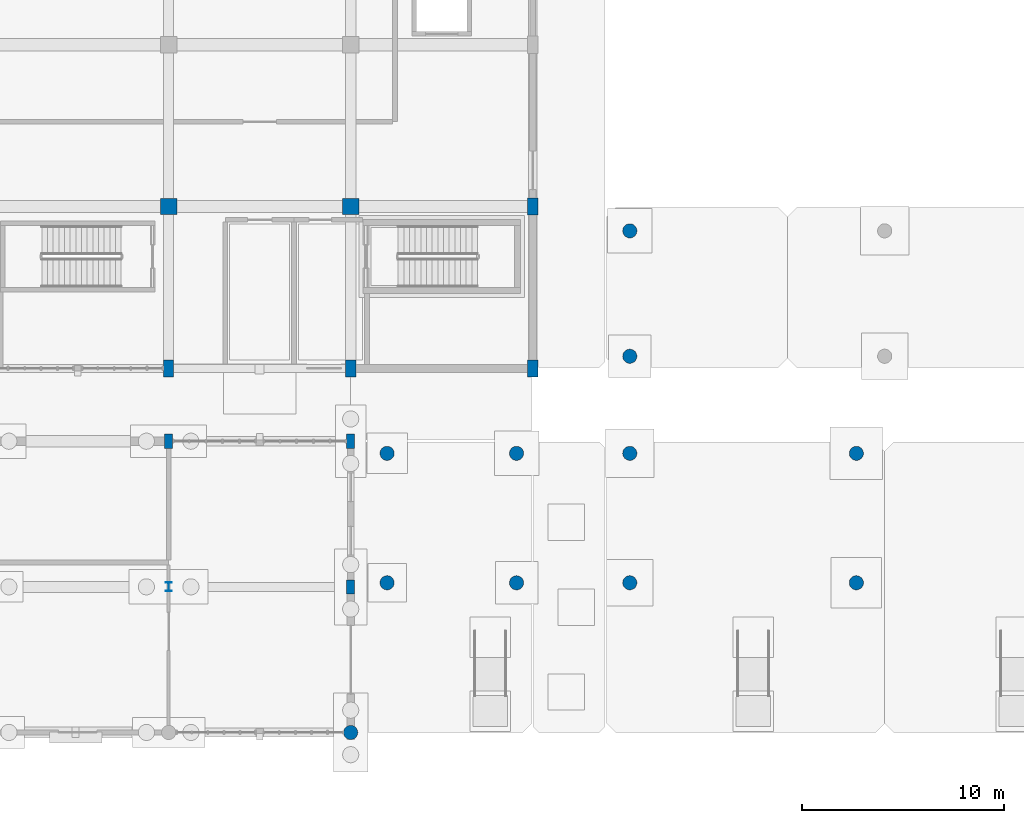
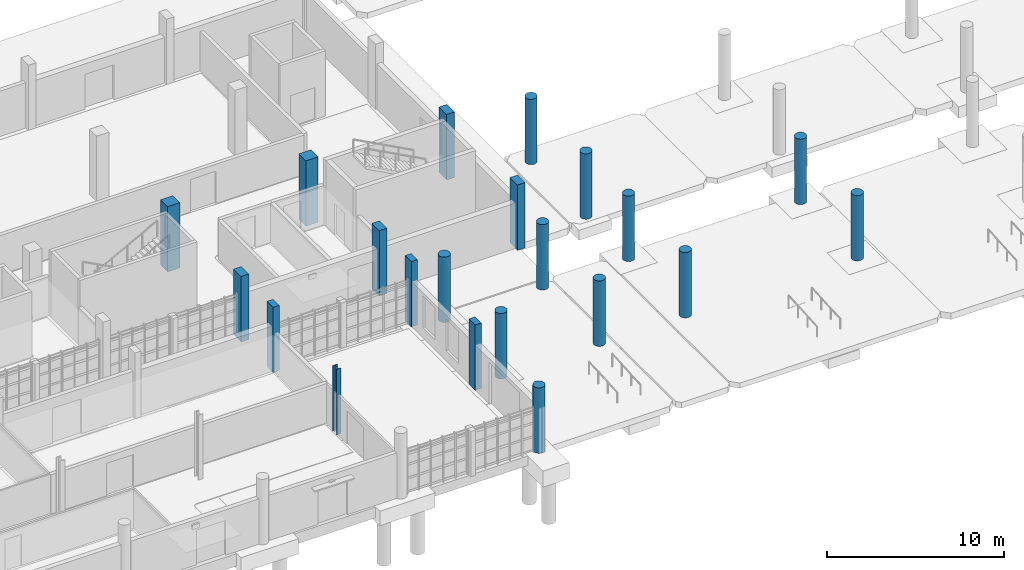
# One storey, part 7 of 63: 21 columns.
"""IFC4 building model written with IfcOpenShell, lengths in metres."""

from ifc_helpers import new_model, si_unit, direction, frame, origin, origin_2d, place, context, subcontext, project, spatial, rectangle, circle, i_section, extrude, material, material_profile, profile_set, type_object, element, save


model = new_model("IFC4")

# Units and contexts
model_context = context("Model", 3, precision=1e-05, world=origin(), true_north=direction((0.0, 1.0)))
body_context = subcontext(model_context, "Body", "Model", "MODEL_VIEW")
ifc_project = project(units=[si_unit("LENGTHUNIT", "METRE"), si_unit("AREAUNIT", "SQUARE_METRE"), si_unit("VOLUMEUNIT", "CUBIC_METRE"), si_unit("PLANEANGLEUNIT", "RADIAN"), si_unit("MASSUNIT", "GRAM", prefix="KILO")], contexts=[model_context])

# Site, building, storey
site_placement = place(None, origin())
site = spatial("IfcSite", under=ifc_project, at=site_placement, CompositionType="ELEMENT")
building_placement = place(site_placement, origin())
building = spatial("IfcBuilding", under=site, at=building_placement, Name="Serraforn Aerial Cableway Station", CompositionType="ELEMENT")
storey_placement = place(building_placement, origin())
storey = spatial("IfcBuildingStorey", under=building, at=storey_placement, Name="L00", CompositionType="ELEMENT", Elevation=0.0)

# Columns
ifc_material_1 = material(Name="Concrete C35/45", Category="concrete")
ifc_material_profile_1 = material_profile(ifc_material_1, rectangle(XDim=0.39990234375, YDim=0.699951171875, at=origin_2d()), Name="RC 400x700")
ifc_profile_set_1 = profile_set([ifc_material_profile_1], Name="Concrete C35/45")
column_type_1 = type_object("IfcColumnType", Name="COL-RC-400x700", PredefinedType="COLUMN", material=ifc_profile_set_1)
for number, where, z_axis, x_axis, name in (
    (1, (72.60009765625, 14.39990234375, 0.0), (0.0, 0.0, 1.0), (1.0, 0.0, 0.0), "Column CF L00 10-B2"),
    (2, (81.60009765625, 7.199951171875, 0.0), (0.0, 0.0, 1.0), (1.0, 0.0, 0.0), "Column CF L00 11-B1"),
    (3, (81.60009765625, 14.39990234375, 0.0), (0.0, 0.0, 1.0), (1.0, 0.0, 0.0), "Column CF L00 11-B2"),
):
    element("IfcColumn", number, at=place(storey_placement, frame(where, z_axis=z_axis, x_axis=x_axis)), inside=storey, type_object=column_type_1, Name=name, PredefinedType="COLUMN", context=body_context, shape_type="SweptSolid", body=[
        extrude(rectangle(XDim=0.39990234375, YDim=0.699951171875, at=origin_2d()), origin(), (0.0, 0.0, 1.0), 4.5),
    ])
ifc_material_2 = material(Name="Concrete C40/50", Category="concrete")
ifc_material_profile_2 = material_profile(ifc_material_2, rectangle(XDim=0.5, YDim=0.85009765625, at=origin_2d()), Name="RC 500x850")
ifc_profile_set_2 = profile_set([ifc_material_profile_2], Name="Concrete C40/50")
column_type_2 = type_object("IfcColumnType", Name="COL-RC-500x850", PredefinedType="COLUMN", material=ifc_profile_set_2)
for number, where, z_axis, x_axis, name in (
    (4, (72.60009765625, 18.0, 0.0), (0.0, 0.0, 1.0), (1.0, 0.0, 0.0), "Column CV L00 10-C"),
    (5, (81.60009765625, 18.0, 0.0), (0.0, 0.0, 1.0), (1.0, 0.0, 0.0), "Column CV L00 11-C"),
    (6, (90.60009765625, 18.0, 0.0), (0.0, 0.0, 1.0), (1.0, 0.0, 0.0), "Column CV L00 12-C"),
    (7, (90.60009765625, 26.0, 0.0), (0.0, 0.0, 1.0), (1.0, 0.0, 0.0), "Column CV L00 12-D1"),
):
    element("IfcColumn", number, at=place(storey_placement, frame(where, z_axis=z_axis, x_axis=x_axis)), inside=storey, type_object=column_type_2, Name=name, PredefinedType="COLUMN", context=body_context, shape_type="SweptSolid", body=[
        extrude(rectangle(XDim=0.5, YDim=0.85009765625, at=origin_2d()), origin(), (0.0, 0.0, 1.0), 4.5),
    ])
ifc_material_profile_3 = material_profile(ifc_material_2, rectangle(XDim=0.800048828125, YDim=0.800048828125, at=origin_2d()), Name="RC 800x800")
ifc_profile_set_3 = profile_set([ifc_material_profile_3], Name="Concrete C40/50")
column_type_3 = type_object("IfcColumnType", Name="COL-RC-800", PredefinedType="COLUMN", material=ifc_profile_set_3)
for number, where, z_axis, x_axis, name in (
    (8, (72.60009765625, 26.0, 0.0), (0.0, 0.0, 1.0), (1.0, 0.0, 0.0), "Column CV L00 10-D1"),
    (9, (81.60009765625, 26.0, 0.0), (0.0, 0.0, 1.0), (1.0, 0.0, 0.0), "Column CV L00 11-D1"),
):
    element("IfcColumn", number, at=place(storey_placement, frame(where, z_axis=z_axis, x_axis=x_axis)), inside=storey, type_object=column_type_3, Name=name, PredefinedType="COLUMN", context=body_context, shape_type="SweptSolid", body=[
        extrude(rectangle(XDim=0.800048828125, YDim=0.800048828125, at=origin_2d()), origin(), (0.0, 0.0, 1.0), 4.5),
    ])
ifc_material_profile_4 = material_profile(ifc_material_1, circle(Radius=0.35009765625, at=origin_2d()), Name="RC D700")
ifc_profile_set_4 = profile_set([ifc_material_profile_4], Name="Concrete C35/45")
column_type_4 = type_object("IfcColumnType", Name="COL-RC-D700", PredefinedType="COLUMN", material=ifc_profile_set_4)
for number, where, z_axis, x_axis, name in (
    (10, (81.60009765625, 0.0, 0.0), (0.0, 0.0, 1.0), (1.0, 0.0, 0.0), "Column CF L00 11-A"),
    (11, (83.39990234375, 7.39990234375, 0.0), (0.0, 0.0, 1.0), (1.0, 0.0, 0.0), "Art Deco Colonnade Pier SW-1-1"),
    (12, (83.39990234375, 13.800048828125, 0.0), (0.0, 0.0, 1.0), (1.0, 0.0, 0.0), "Art Deco Colonnade Pier SW-1-2"),
    (13, (89.800048828125, 7.39990234375, 0.0), (0.0, 0.0, 1.0), (1.0, 0.0, 0.0), "Art Deco Colonnade Pier SW-2-1"),
    (14, (89.800048828125, 13.800048828125, 0.0), (0.0, 0.0, 1.0), (1.0, 0.0, 0.0), "Art Deco Colonnade Pier SW-2-2"),
    (15, (95.39990234375, 7.39990234375, 0.0), (0.0, 0.0, 1.0), (1.0, 0.0, 0.0), "Art Deco Colonnade Pier S-1-1"),
    (16, (95.39990234375, 13.800048828125, 0.0), (0.0, 0.0, 1.0), (1.0, 0.0, 0.0), "Art Deco Colonnade Pier S-1-2"),
    (17, (106.60009765625, 7.39990234375, 0.0), (0.0, 0.0, 1.0), (1.0, 0.0, 0.0), "Art Deco Colonnade Pier S-2-1"),
    (18, (106.60009765625, 13.800048828125, 0.0), (0.0, 0.0, 1.0), (1.0, 0.0, 0.0), "Art Deco Colonnade Pier S-2-2"),
    (19, (95.39990234375, 18.60009765625, 0.0), (0.0, 0.0, 1.0), (1.0, 0.0, 0.0), "Art Deco Colonnade Pier C-1-1"),
    (20, (95.39990234375, 24.800048828125, 0.0), (0.0, 0.0, 1.0), (1.0, 0.0, 0.0), "Art Deco Colonnade Pier C-1-2"),
):
    element("IfcColumn", number, at=place(storey_placement, frame(where, z_axis=z_axis, x_axis=x_axis)), inside=storey, type_object=column_type_4, Name=name, PredefinedType="COLUMN", context=body_context, shape_type="SweptSolid", body=[
        extrude(circle(Radius=0.35009765625, at=origin_2d()), origin(), (0.0, 0.0, 1.0), 4.5),
    ])
ifc_material_3 = material(Name="Steel S355J2", Category="steel")
ifc_material_profile_5 = material_profile(ifc_material_3, i_section(OverallWidth=0.300048828125, OverallDepth=0.449951171875, WebThickness=0.011474609375, FlangeThickness=0.02099609375, FilletRadius=0.027099609375, at=origin_2d()), Name="HEA 450")
ifc_profile_set_5 = profile_set([ifc_material_profile_5], Name="Steel S355J2")
column_type_5 = type_object("IfcColumnType", Name="COL-ST-HEA450", PredefinedType="COLUMN", material=ifc_profile_set_5)
column_placement = place(storey_placement, frame((72.60009765625, 7.199951171875, 0.0), z_axis=(0.0, 0.0, 1.0), x_axis=(1.0, 0.0, 0.0)))
element("IfcColumn", 21, at=column_placement, inside=storey, type_object=column_type_5, Name="Column CF L00 10-B1", PredefinedType="COLUMN", context=body_context, shape_type="SweptSolid", body=[
    extrude(i_section(OverallWidth=0.300048828125, OverallDepth=0.449951171875, WebThickness=0.011474609375, FlangeThickness=0.02099609375, FilletRadius=0.027099609375, at=origin_2d()), origin(), (0.0, 0.0, 1.0), 4.5),
])

save(model, "model.ifc")
